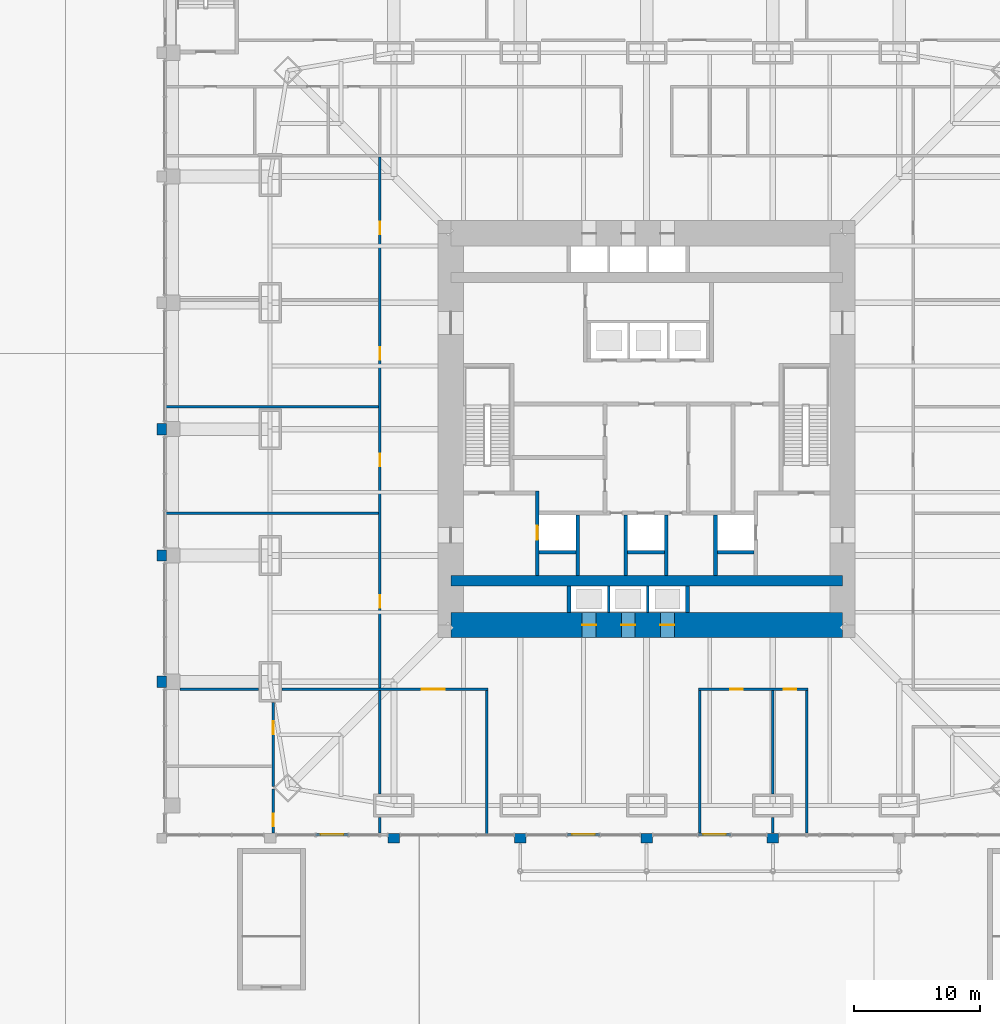
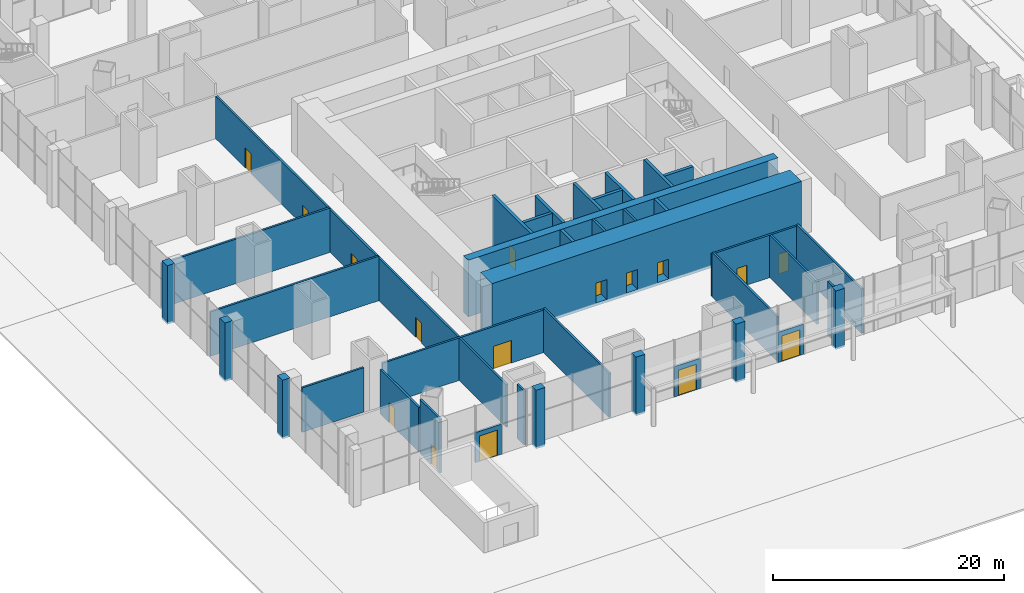
# One storey, part 22 of 31: 39 walls, 16 doors, 16 openings.
"""IFC4 building model written with IfcOpenShell, lengths in metres."""

from ifc_helpers import new_model, si_unit, direction, frame, frame_2d, origin, place, context, subcontext, project, spatial, rectangle, extrude, material, layer, layer_set, type_object, element, fill, save


model = new_model("IFC4")

# Units and contexts
model_context = context("Model", 3, precision=1e-05, world=origin(), true_north=direction((0.0, 1.0)))
body_context = subcontext(model_context, "Body", "Model", "MODEL_VIEW")
ifc_project = project(units=[si_unit("LENGTHUNIT", "METRE"), si_unit("AREAUNIT", "SQUARE_METRE"), si_unit("VOLUMEUNIT", "CUBIC_METRE"), si_unit("PLANEANGLEUNIT", "RADIAN"), si_unit("MASSUNIT", "GRAM", prefix="KILO")], contexts=[model_context])

# Site, building, storey
site_placement = place(None, origin())
site = spatial("IfcSite", under=ifc_project, at=site_placement, CompositionType="ELEMENT")
building_placement = place(site_placement, origin())
building = spatial("IfcBuilding", under=site, at=building_placement, Name="Khuree Lantern Residences", CompositionType="ELEMENT")
storey_placement = place(building_placement, origin())
storey = spatial("IfcBuildingStorey", under=building, at=storey_placement, Name="L00", CompositionType="ELEMENT", Elevation=0.0)

# Wall, opening, door
ifc_material_1 = material(Name="Dense concrete blockwork", Category="masonry")
ifc_layer_1 = layer(ifc_material_1, 0.300048828125)
ifc_layer_set_1 = layer_set([ifc_layer_1], Name="CORE PARTITION WALL CPW300 EI 120")
wall_type_1 = type_object("IfcWallType", Name="CORE PARTITION WALL CPW300 EI 120", PredefinedType="PARTITIONING", material=ifc_layer_set_1)
wall_1_placement = place(storey_placement, frame((-8.64990234375, -11.60009765625, 0.0), z_axis=(0.0, 0.0, 1.0), x_axis=(0.0, 1.0, 0.0)))
wall_1 = element("IfcWall", 1, at=wall_1_placement, inside=storey, type_object=wall_type_1, Name="L00 CORE WALL FL1W", PredefinedType="PARTITIONING", context=body_context, shape_type="SweptSolid", body=[
    extrude(rectangle(XDim=6.7001953125, YDim=0.300048828125, at=frame_2d((3.35009765625, 0.0))), origin(), (0.0, 0.0, 1.0), 5.699951171875),
])
opening_1_placement = place(wall_1_placement, frame((2.85009765625, 0.0, 0.0)))
opening_1 = element("IfcOpeningElement", 2, at=opening_1_placement, cuts=wall_1, Name="Opening 00-007", PredefinedType="OPENING", context=body_context, shape_type="SweptSolid", body=[
    extrude(rectangle(XDim=1.10009765625, YDim=2.10009765625, at=frame_2d((0.550048828125, 1.050048828125))), frame((0.0, 0.16015625, 0.0), z_axis=(0.0, -1.0, 0.0), x_axis=(1.0, 0.0, 0.0)), (0.0, 0.0, 1.0), 0.320068359375),
])
ifc_material_2 = material(Name="Stainless steel lift landing door", Category="steel")
door_type_1 = type_object("IfcDoorType", Name="LIFT LANDING DOOR 1100X2100 E 120", OperationType="DOUBLE_DOOR_SLIDING", PredefinedType="DOOR", material=ifc_material_2)
door_1_placement = place(opening_1_placement, origin())
door_1 = element("IfcDoor", 3, at=door_1_placement, inside=storey, type_object=door_type_1, Name="Landing door FL1 00-007", OperationType="DOUBLE_DOOR_SLIDING", OverallHeight=2.10009765625, OverallWidth=1.10009765625, PredefinedType="DOOR", context=body_context, shape_type="SweptSolid", body=[
    extrude(rectangle(XDim=1.10009765625, YDim=2.10009765625, at=frame_2d((0.550048828125, 1.050048828125))), frame((0.0, 0.02490234375, 0.0), z_axis=(0.0, -1.0, 0.0), x_axis=(1.0, 0.0, 0.0)), (0.0, 0.0, 1.0), 0.050048828125),
])
fill(opening_1, door_1)

# Walls
for number, where, z_axis, x_axis, name in (
    (4, (-5.449951171875, -11.60009765625, 0.0), (0.0, 0.0, 1.0), (0.0, 1.0, 0.0), "L00 CORE WALL FL1E"),
    (5, (-1.64990234375, -11.60009765625, 0.0), (0.0, 0.0, 1.0), (0.0, 1.0, 0.0), "L00 CORE WALL SL1W"),
    (6, (1.550048828125, -11.60009765625, 0.0), (0.0, 0.0, 1.0), (0.0, 1.0, 0.0), "L00 CORE WALL SL1E"),
    (7, (5.449951171875, -11.60009765625, 0.0), (0.0, 0.0, 1.0), (0.0, 1.0, 0.0), "L00 CORE WALL FL2W"),
):
    element("IfcWall", number, at=place(storey_placement, frame(where, z_axis=z_axis, x_axis=x_axis)), inside=storey, type_object=wall_type_1, Name=name, PredefinedType="PARTITIONING", context=body_context, shape_type="SweptSolid", body=[
        extrude(rectangle(XDim=4.800048828125, YDim=0.300048828125, at=frame_2d((2.39990234375, 0.0))), origin(), (0.0, 0.0, 1.0), 5.699951171875),
    ])
for number, where, z_axis, x_axis, name in (
    (8, (-8.5, -9.75, 0.0), (0.0, 0.0, 1.0), (1.0, 0.0, 0.0), "L00 CORE WALL FL1S"),
    (9, (-1.5, -9.75, 0.0), (0.0, 0.0, 1.0), (1.0, 0.0, 0.0), "L00 CORE WALL SL1S"),
    (10, (5.60009765625, -9.75, 0.0), (0.0, 0.0, 1.0), (1.0, 0.0, 0.0), "L00 CORE WALL FL2S"),
):
    element("IfcWall", number, at=place(storey_placement, frame(where, z_axis=z_axis, x_axis=x_axis)), inside=storey, type_object=wall_type_1, Name=name, PredefinedType="PARTITIONING", context=body_context, shape_type="SweptSolid", body=[
        extrude(rectangle(XDim=2.89990234375, YDim=0.300048828125, at=frame_2d((1.449951171875, 0.0))), origin(), (0.0, 0.0, 1.0), 5.699951171875),
    ])
for number, where, z_axis, x_axis, name in (
    (11, (-6.14990234375, -14.5, 0.0), (0.0, 0.0, 1.0), (0.0, 1.0, 0.0), "L00 CORE WALL PMW"),
    (12, (3.25, -14.5, 0.0), (0.0, 0.0, 1.0), (0.0, 1.0, 0.0), "L00 CORE WALL PME"),
):
    element("IfcWall", number, at=place(storey_placement, frame(where, z_axis=z_axis, x_axis=x_axis)), inside=storey, type_object=wall_type_1, Name=name, PredefinedType="PARTITIONING", context=body_context, shape_type="SweptSolid", body=[
        extrude(rectangle(XDim=2.10009765625, YDim=0.300048828125, at=frame_2d((1.050048828125, 0.0))), origin(), (0.0, 0.0, 1.0), 5.699951171875),
    ])

# Wall, openings, doors
ifc_material_3 = material(Name="Concrete C70/85", Category="concrete")
ifc_layer_2 = layer(ifc_material_3, 2.0)
ifc_layer_set_2 = layer_set([ifc_layer_2], Name="CW2000-C70 CORE WALL C70 2000")
wall_type_2 = type_object("IfcWallType", Name="CW2000-C70 CORE WALL C70 2000", PredefinedType="SHEAR", material=ifc_layer_set_2)
wall_2_placement = place(storey_placement, frame((-15.5, -15.5, -0.300048828125), z_axis=(0.0, 0.0, 1.0), x_axis=(1.0, 0.0, 0.0)))
wall_2 = element("IfcWall", 13, at=wall_2_placement, inside=storey, type_object=wall_type_2, Name="Core wall S", PredefinedType="SHEAR", context=body_context, shape_type="SweptSolid", body=[
    extrude(rectangle(XDim=31.0, YDim=2.0, at=frame_2d((15.5, 0.0))), origin(), (0.0, 0.0, 1.0), 6.0),
])
opening_2_placement = place(wall_2_placement, frame((10.39990234375, 0.0, 0.300048828125)))
opening_2 = element("IfcOpeningElement", 14, at=opening_2_placement, cuts=wall_2, Name="Opening 00-015", PredefinedType="OPENING", context=body_context, shape_type="SweptSolid", body=[
    extrude(rectangle(XDim=1.10009765625, YDim=2.10009765625, at=frame_2d((0.550048828125, 1.050048828125))), frame((0.0, 1.010009765625, 0.0), z_axis=(0.0, -1.0, 0.0), x_axis=(1.0, 0.0, 0.0)), (0.0, 0.0, 1.0), 2.02001953125),
])
opening_3_placement = place(wall_2_placement, frame((13.5, 0.0, 0.300048828125)))
opening_3 = element("IfcOpeningElement", 15, at=opening_3_placement, cuts=wall_2, Name="Opening 00-016", PredefinedType="OPENING", context=body_context, shape_type="SweptSolid", body=[
    extrude(rectangle(XDim=1.10009765625, YDim=2.10009765625, at=frame_2d((0.550048828125, 1.050048828125))), frame((0.0, 1.010009765625, 0.0), z_axis=(0.0, -1.0, 0.0), x_axis=(1.0, 0.0, 0.0)), (0.0, 0.0, 1.0), 2.02001953125),
])
opening_4_placement = place(wall_2_placement, frame((16.60009765625, 0.0, 0.300048828125)))
opening_4 = element("IfcOpeningElement", 16, at=opening_4_placement, cuts=wall_2, Name="Opening 00-017", PredefinedType="OPENING", context=body_context, shape_type="SweptSolid", body=[
    extrude(rectangle(XDim=1.10009765625, YDim=2.10009765625, at=frame_2d((0.550048828125, 1.050048828125))), frame((0.0, 1.010009765625, 0.0), z_axis=(0.0, -1.0, 0.0), x_axis=(1.0, 0.0, 0.0)), (0.0, 0.0, 1.0), 2.02001953125),
])
door_type_2 = type_object("IfcDoorType", Name="LIFT LANDING DOOR 1100X2100 E 60", OperationType="DOUBLE_DOOR_SLIDING", PredefinedType="DOOR", material=ifc_material_2)
door_2_placement = place(opening_2_placement, origin())
door_2 = element("IfcDoor", 17, at=door_2_placement, inside=storey, type_object=door_type_2, Name="Landing door PM1 00-015", OperationType="DOUBLE_DOOR_SLIDING", OverallHeight=2.10009765625, OverallWidth=1.10009765625, PredefinedType="DOOR", context=body_context, shape_type="SweptSolid", body=[
    extrude(rectangle(XDim=1.10009765625, YDim=2.10009765625, at=frame_2d((0.550048828125, 1.050048828125))), frame((0.0, 0.02490234375, 0.0), z_axis=(0.0, -1.0, 0.0), x_axis=(1.0, 0.0, 0.0)), (0.0, 0.0, 1.0), 0.050048828125),
])
fill(opening_2, door_2)
door_3_placement = place(opening_3_placement, origin())
door_3 = element("IfcDoor", 18, at=door_3_placement, inside=storey, type_object=door_type_2, Name="Landing door PM2 00-016", OperationType="DOUBLE_DOOR_SLIDING", OverallHeight=2.10009765625, OverallWidth=1.10009765625, PredefinedType="DOOR", context=body_context, shape_type="SweptSolid", body=[
    extrude(rectangle(XDim=1.10009765625, YDim=2.10009765625, at=frame_2d((0.550048828125, 1.050048828125))), frame((0.0, 0.02490234375, 0.0), z_axis=(0.0, -1.0, 0.0), x_axis=(1.0, 0.0, 0.0)), (0.0, 0.0, 1.0), 0.050048828125),
])
fill(opening_3, door_3)
door_4_placement = place(opening_4_placement, origin())
door_4 = element("IfcDoor", 19, at=door_4_placement, inside=storey, type_object=door_type_2, Name="Landing door PM3 00-017", OperationType="DOUBLE_DOOR_SLIDING", OverallHeight=2.10009765625, OverallWidth=1.10009765625, PredefinedType="DOOR", context=body_context, shape_type="SweptSolid", body=[
    extrude(rectangle(XDim=1.10009765625, YDim=2.10009765625, at=frame_2d((0.550048828125, 1.050048828125))), frame((0.0, 0.02490234375, 0.0), z_axis=(0.0, -1.0, 0.0), x_axis=(1.0, 0.0, 0.0)), (0.0, 0.0, 1.0), 0.050048828125),
])
fill(opening_4, door_4)

# Wall, opening, door
ifc_material_4 = material(Name="Bronze anodised aluminium insulated panel surround", Category="aluminium")
ifc_layer_3 = layer(ifc_material_4, 0.199951171875)
ifc_layer_set_3 = layer_set([ifc_layer_3], Name="ENTRANCE SCREEN ES1 200")
wall_type_3 = type_object("IfcWallType", Name="ENTRANCE SCREEN ES1 200", PredefinedType="ELEMENTEDWALL", material=ifc_layer_set_3)
wall_3_placement = place(storey_placement, frame((-26.199951171875, -32.10009765625, 0.0), z_axis=(0.0, 0.0, 1.0), x_axis=(1.0, 0.0, 0.0)))
wall_3 = element("IfcWall", 20, at=wall_3_placement, inside=storey, type_object=wall_type_3, Name="L00 SOUTH FACE BAY 2 ENTRANCE SCREEN", PredefinedType="ELEMENTEDWALL", context=body_context, shape_type="SweptSolid", body=[
    extrude(rectangle(XDim=2.599853515625, YDim=0.199951171875, at=frame_2d((1.2998046875, 0.0))), origin(), (0.0, 0.0, 1.0), 3.199951171875),
])
opening_5_placement = place(wall_3_placement, frame((2.199951171875, 0.0, 0.0), z_axis=(0.0, 0.0, 1.0), x_axis=(-1.0, 0.0, 0.0)))
opening_5 = element("IfcOpeningElement", 21, at=opening_5_placement, cuts=wall_3, Name="Opening 00-E01", PredefinedType="OPENING", context=body_context, shape_type="SweptSolid", body=[
    extrude(rectangle(XDim=1.800048828125, YDim=2.699951171875, at=frame_2d((0.89990234375, 1.35009765625))), frame((0.0, 0.10986328125, 0.0), z_axis=(0.0, -1.0, 0.0), x_axis=(1.0, 0.0, 0.0)), (0.0, 0.0, 1.0), 0.219970703125),
])
ifc_material_5 = material(Name="Thermally broken bronze anodised aluminium door set, laminated triple glazing", Category="aluminium")
door_type_3 = type_object("IfcDoorType", Name="ENTRANCE DOOR D-E1 1800X2700", OperationType="DOUBLE_DOOR_SINGLE_SWING", PredefinedType="DOOR", material=ifc_material_5)
door_5_placement = place(opening_5_placement, origin())
door_5 = element("IfcDoor", 22, at=door_5_placement, inside=storey, type_object=door_type_3, Name="L00 SOUTH FACE BAY 2 PLAZA ENTRANCE DOOR 00-E01", OperationType="SINGLE_SWING_LEFT", OverallHeight=2.699951171875, OverallWidth=1.800048828125, PredefinedType="DOOR", context=body_context, shape_type="SweptSolid", body=[
    extrude(rectangle(XDim=1.800048828125, YDim=2.699951171875, at=frame_2d((0.89990234375, 1.35009765625))), frame((0.0, 0.02490234375, 0.0), z_axis=(0.0, -1.0, 0.0), x_axis=(1.0, 0.0, 0.0)), (0.0, 0.0, 1.0), 0.050048828125),
])
fill(opening_5, door_5)

wall_4_placement = place(storey_placement, frame((-6.300048828125, -32.10009765625, 0.0), z_axis=(0.0, 0.0, 1.0), x_axis=(1.0, 0.0, 0.0)))
wall_4 = element("IfcWall", 23, at=wall_4_placement, inside=storey, type_object=wall_type_3, Name="L00 SOUTH FACE BAY 4 ENTRANCE SCREEN", PredefinedType="ELEMENTEDWALL", context=body_context, shape_type="SweptSolid", body=[
    extrude(rectangle(XDim=2.60009765625, YDim=0.199951171875, at=frame_2d((1.300048828125, 0.0))), origin(), (0.0, 0.0, 1.0), 3.199951171875),
])
opening_6_placement = place(wall_4_placement, frame((2.199951171875, 0.0, 0.0), z_axis=(0.0, 0.0, 1.0), x_axis=(-1.0, 0.0, 0.0)))
opening_6 = element("IfcOpeningElement", 24, at=opening_6_placement, cuts=wall_4, Name="Opening 00-E02", PredefinedType="OPENING", context=body_context, shape_type="SweptSolid", body=[
    extrude(rectangle(XDim=1.800048828125, YDim=2.699951171875, at=frame_2d((0.89990234375, 1.35009765625))), frame((0.0, 0.10986328125, 0.0), z_axis=(0.0, -1.0, 0.0), x_axis=(1.0, 0.0, 0.0)), (0.0, 0.0, 1.0), 0.219970703125),
])
door_6_placement = place(opening_6_placement, origin())
door_6 = element("IfcDoor", 25, at=door_6_placement, inside=storey, type_object=door_type_3, Name="L00 SOUTH FACE BAY 4 MAIN ENTRANCE DOOR 00-E02", OperationType="SINGLE_SWING_LEFT", OverallHeight=2.699951171875, OverallWidth=1.800048828125, PredefinedType="DOOR", context=body_context, shape_type="SweptSolid", body=[
    extrude(rectangle(XDim=1.800048828125, YDim=2.699951171875, at=frame_2d((0.89990234375, 1.35009765625))), frame((0.0, 0.02490234375, 0.0), z_axis=(0.0, -1.0, 0.0), x_axis=(1.0, 0.0, 0.0)), (0.0, 0.0, 1.0), 0.050048828125),
])
fill(opening_6, door_6)

wall_5_placement = place(storey_placement, frame((4.072021484375, -32.10009765625, 0.0), z_axis=(0.0, 0.0, 1.0), x_axis=(1.0, 0.0, 0.0)))
wall_5 = element("IfcWall", 26, at=wall_5_placement, inside=storey, type_object=wall_type_3, Name="L00 SOUTH FACE BAY 5 ENTRANCE SCREEN", PredefinedType="ELEMENTEDWALL", context=body_context, shape_type="SweptSolid", body=[
    extrude(rectangle(XDim=2.60009765625, YDim=0.199951171875, at=frame_2d((1.300048828125, 0.0))), origin(), (0.0, 0.0, 1.0), 3.199951171875),
])
opening_7_placement = place(wall_5_placement, frame((2.199951171875, 0.0, 0.0), z_axis=(0.0, 0.0, 1.0), x_axis=(-1.0, 0.0, 0.0)))
opening_7 = element("IfcOpeningElement", 27, at=opening_7_placement, cuts=wall_5, Name="Opening 00-E03", PredefinedType="OPENING", context=body_context, shape_type="SweptSolid", body=[
    extrude(rectangle(XDim=1.800048828125, YDim=2.699951171875, at=frame_2d((0.89990234375, 1.35009765625))), frame((0.0, 0.10986328125, 0.0), z_axis=(0.0, -1.0, 0.0), x_axis=(1.0, 0.0, 0.0)), (0.0, 0.0, 1.0), 0.219970703125),
])
door_7_placement = place(opening_7_placement, origin())
door_7 = element("IfcDoor", 28, at=door_7_placement, inside=storey, type_object=door_type_3, Name="L00 SOUTH FACE BAY 5 MAIN ENTRANCE DOOR 00-E03", OperationType="SINGLE_SWING_LEFT", OverallHeight=2.699951171875, OverallWidth=1.800048828125, PredefinedType="DOOR", context=body_context, shape_type="SweptSolid", body=[
    extrude(rectangle(XDim=1.800048828125, YDim=2.699951171875, at=frame_2d((0.89990234375, 1.35009765625))), frame((0.0, 0.02490234375, 0.0), z_axis=(0.0, -1.0, 0.0), x_axis=(1.0, 0.0, 0.0)), (0.0, 0.0, 1.0), 0.050048828125),
])
fill(opening_7, door_7)

ifc_layer_4 = layer(ifc_material_1, 0.199951171875)
ifc_layer_set_4 = layer_set([ifc_layer_4], Name="FIRE-RATED ROOM WALL FRW200 EI 120")
wall_type_4 = type_object("IfcWallType", Name="FIRE-RATED ROOM WALL FRW200 EI 120", PredefinedType="SOLIDWALL", material=ifc_layer_set_4)
wall_6_placement = place(storey_placement, frame((-29.555908203125, -31.97998046875, 0.0), z_axis=(0.0, 0.0, 1.0), x_axis=(0.0, 1.0, 0.0)))
wall_6 = element("IfcWall", 29, at=wall_6_placement, inside=storey, type_object=wall_type_4, Name="L00 ROOM WALL 2", PredefinedType="SOLIDWALL", context=body_context, shape_type="SweptSolid", body=[
    extrude(rectangle(XDim=3.474853515625, YDim=0.199951171875, at=frame_2d((1.7373046875, 0.0))), origin(), (0.0, 0.0, 1.0), 5.699951171875),
])
opening_8_placement = place(wall_6_placement, frame((0.530029296875, 0.0, 0.0)))
opening_8 = element("IfcOpeningElement", 30, at=opening_8_placement, cuts=wall_6, Name="Opening 00-031", PredefinedType="OPENING", context=body_context, shape_type="SweptSolid", body=[
    extrude(rectangle(XDim=1.0, YDim=2.10009765625, at=frame_2d((0.5, 1.050048828125))), frame((0.0, 0.10986328125, 0.0), z_axis=(0.0, -1.0, 0.0), x_axis=(1.0, 0.0, 0.0)), (0.0, 0.0, 1.0), 0.219970703125),
])
ifc_material_6 = material(Name="Steel door leaf in steel frame", Category="steel")
door_type_4 = type_object("IfcDoorType", Name="DOOR 1000X2100 EI 60", OperationType="SINGLE_SWING_LEFT", PredefinedType="DOOR", material=ifc_material_6)
door_8_placement = place(opening_8_placement, origin())
door_8 = element("IfcDoor", 31, at=door_8_placement, inside=storey, type_object=door_type_4, Name="Fire command centre door 00-031", OperationType="SINGLE_SWING_LEFT", OverallHeight=2.10009765625, OverallWidth=1.0, PredefinedType="DOOR", context=body_context, shape_type="SweptSolid", body=[
    extrude(rectangle(XDim=1.0, YDim=2.10009765625, at=frame_2d((0.5, 1.050048828125))), frame((0.0, 0.02490234375, 0.0), z_axis=(0.0, -1.0, 0.0), x_axis=(1.0, 0.0, 0.0)), (0.0, 0.0, 1.0), 0.050048828125),
])
fill(opening_8, door_8)

wall_7_placement = place(storey_placement, frame((-29.555908203125, -28.282958984375, 0.0), z_axis=(0.0, 0.0, 1.0), x_axis=(0.0, 1.0, 0.0)))
wall_7 = element("IfcWall", 32, at=wall_7_placement, inside=storey, type_object=wall_type_4, Name="L00 ROOM WALL 12", PredefinedType="SOLIDWALL", context=body_context, shape_type="SweptSolid", body=[
    extrude(rectangle(XDim=6.65283203125, YDim=0.199951171875, at=frame_2d((3.326416015625, 0.0))), origin(), (0.0, 0.0, 1.0), 4.699951171875),
])
opening_9_placement = place(wall_7_placement, frame((4.142578125, 0.0, 0.0)))
opening_9 = element("IfcOpeningElement", 33, at=opening_9_placement, cuts=wall_7, Name="Opening 00-032", PredefinedType="OPENING", context=body_context, shape_type="SweptSolid", body=[
    extrude(rectangle(XDim=1.0, YDim=2.10009765625, at=frame_2d((0.5, 1.050048828125))), frame((0.0, 0.10986328125, 0.0), z_axis=(0.0, -1.0, 0.0), x_axis=(1.0, 0.0, 0.0)), (0.0, 0.0, 1.0), 0.219970703125),
])
ifc_material_7 = material(Name="Timber door leaf in hardwood frame", Category="wood")
door_type_5 = type_object("IfcDoorType", Name="DOOR 1000X2100 RIGHT HAND", OperationType="SINGLE_SWING_RIGHT", PredefinedType="DOOR", material=ifc_material_7)
door_9_placement = place(opening_9_placement, origin())
door_9 = element("IfcDoor", 34, at=door_9_placement, inside=storey, type_object=door_type_5, Name="Concierge office door 00-032", OperationType="SINGLE_SWING_RIGHT", OverallHeight=2.10009765625, OverallWidth=1.0, PredefinedType="DOOR", context=body_context, shape_type="SweptSolid", body=[
    extrude(rectangle(XDim=1.0, YDim=2.10009765625, at=frame_2d((0.5, 1.050048828125))), frame((0.0, 0.02490234375, 0.0), z_axis=(0.0, -1.0, 0.0), x_axis=(1.0, 0.0, 0.0)), (0.0, 0.0, 1.0), 0.050048828125),
])
fill(opening_9, door_9)

# Walls
ifc_material_8 = material(Name="Flamed granite cladding on blockwork", Category="masonry")
ifc_layer_5 = layer(ifc_material_8, 0.75)
ifc_layer_set_5 = layer_set([ifc_layer_5], Name="PODIUM PIER PR1 900X750")
wall_type_5 = type_object("IfcWallType", Name="PODIUM PIER PR1 900X750", PredefinedType="SOLIDWALL", material=ifc_layer_set_5)
for number, where, z_axis, x_axis, name in (
    (35, (-20.449951171875, -32.375, -0.199951171875), (0.0, 0.0, 1.0), (1.0, 0.0, 0.0), "L00 SOUTH FACE PIER 2"),
    (36, (-10.449951171875, -32.375, -0.199951171875), (0.0, 0.0, 1.0), (1.0, 0.0, 0.0), "L00 SOUTH FACE PIER 3"),
    (37, (-0.449951171875, -32.375, -0.199951171875), (0.0, 0.0, 1.0), (1.0, 0.0, 0.0), "L00 SOUTH FACE PIER 4"),
    (38, (9.550048828125, -32.375, -0.199951171875), (0.0, 0.0, 1.0), (1.0, 0.0, 0.0), "L00 SOUTH FACE PIER 5"),
    (39, (-38.375, 0.449951171875, -0.199951171875), (0.0, 0.0, 1.0), (0.0, -1.0, 0.0), "L00 WEST FACE PIER 5"),
    (40, (-38.375, -9.550048828125, -0.199951171875), (0.0, 0.0, 1.0), (0.0, -1.0, 0.0), "L00 WEST FACE PIER 6"),
    (41, (-38.375, -19.550048828125, -0.199951171875), (0.0, 0.0, 1.0), (0.0, -1.0, 0.0), "L00 WEST FACE PIER 7"),
):
    element("IfcWall", number, at=place(storey_placement, frame(where, z_axis=z_axis, x_axis=x_axis)), inside=storey, type_object=wall_type_5, Name=name, PredefinedType="SOLIDWALL", context=body_context, shape_type="SweptSolid", body=[
        extrude(rectangle(XDim=0.89990234375, YDim=0.75, at=frame_2d((0.449951171875, 0.0))), origin(), (0.0, 0.0, 1.0), 6.199951171875),
    ])
ifc_layer_6 = layer(ifc_material_1, 0.199951171875)
ifc_layer_set_6 = layer_set([ifc_layer_6], Name="ROOM WALL RMW200")
wall_type_6 = type_object("IfcWallType", Name="ROOM WALL RMW200", PredefinedType="SOLIDWALL", material=ifc_layer_set_6)
wall_8_placement = place(storey_placement, frame((-12.6669921875, -32.074951171875, 0.0), z_axis=(0.0, 0.0, 1.0), x_axis=(0.0, 1.0, 0.0)))
element("IfcWall", 42, at=wall_8_placement, inside=storey, type_object=wall_type_6, Name="L00 ROOM WALL 1", PredefinedType="SOLIDWALL", context=body_context, shape_type="SweptSolid", body=[
    extrude(rectangle(XDim=11.384033203125, YDim=0.199951171875, at=frame_2d((5.69189453125, 0.0))), origin(), (0.0, 0.0, 1.0), 4.699951171875),
])
wall_9_placement = place(storey_placement, frame((-21.111083984375, -31.97998046875, 0.0), z_axis=(0.0, 0.0, 1.0), x_axis=(0.0, 1.0, 0.0)))
element("IfcWall", 43, at=wall_9_placement, inside=storey, type_object=wall_type_6, Name="L00 ROOM WALL 3", PredefinedType="SOLIDWALL", context=body_context, shape_type="SweptSolid", body=[
    extrude(rectangle(XDim=1.25, YDim=0.199951171875, at=frame_2d((0.625, 0.0))), origin(), (0.0, 0.0, 1.0), 5.699951171875),
])
wall_10_placement = place(storey_placement, frame((4.221923828125, -31.97998046875, 0.0), z_axis=(0.0, 0.0, 1.0), x_axis=(0.0, 1.0, 0.0)))
element("IfcWall", 44, at=wall_10_placement, inside=storey, type_object=wall_type_6, Name="L00 ROOM WALL 4", PredefinedType="SOLIDWALL", context=body_context, shape_type="SweptSolid", body=[
    extrude(rectangle(XDim=11.2890625, YDim=0.199951171875, at=frame_2d((5.64453125, 0.0))), origin(), (0.0, 0.0, 1.0), 4.699951171875),
])
wall_11_placement = place(storey_placement, frame((10.0, -31.97998046875, 0.0), z_axis=(0.0, 0.0, 1.0), x_axis=(0.0, 1.0, 0.0)))
element("IfcWall", 45, at=wall_11_placement, inside=storey, type_object=wall_type_6, Name="L00 ROOM WALL 5", PredefinedType="SOLIDWALL", context=body_context, shape_type="SweptSolid", body=[
    extrude(rectangle(XDim=1.25, YDim=0.199951171875, at=frame_2d((0.625, 0.0))), origin(), (0.0, 0.0, 1.0), 5.699951171875),
])
wall_12_placement = place(storey_placement, frame((12.6669921875, -31.97998046875, 0.0), z_axis=(0.0, 0.0, 1.0), x_axis=(0.0, 1.0, 0.0)))
element("IfcWall", 46, at=wall_12_placement, inside=storey, type_object=wall_type_6, Name="L00 ROOM WALL 6", PredefinedType="SOLIDWALL", context=body_context, shape_type="SweptSolid", body=[
    extrude(rectangle(XDim=11.2890625, YDim=0.199951171875, at=frame_2d((5.64453125, 0.0))), origin(), (0.0, 0.0, 1.0), 4.699951171875),
])
for number, where, z_axis, x_axis, name in (
    (47, (-21.111083984375, -28.869873046875, 0.0), (0.0, 0.0, 1.0), (0.0, 1.0, 0.0), "L00 ROOM WALL 9"),
    (48, (10.0, -28.869873046875, 0.0), (0.0, 0.0, 1.0), (0.0, 1.0, 0.0), "L00 ROOM WALL 10"),
):
    element("IfcWall", number, at=place(storey_placement, frame(where, z_axis=z_axis, x_axis=x_axis)), inside=storey, type_object=wall_type_6, Name=name, PredefinedType="SOLIDWALL", context=body_context, shape_type="SweptSolid", body=[
        extrude(rectangle(XDim=8.178955078125, YDim=0.199951171875, at=frame_2d((4.08935546875, 0.0))), origin(), (0.0, 0.0, 1.0), 4.5),
    ])
wall_13_placement = place(storey_placement, frame((-36.919921875, -20.591064453125, 0.0), z_axis=(0.0, 0.0, 1.0), x_axis=(1.0, 0.0, 0.0)))
element("IfcWall", 49, at=wall_13_placement, inside=storey, type_object=wall_type_6, Name="L00 ROOM WALL 15", PredefinedType="SOLIDWALL", context=body_context, shape_type="SweptSolid", body=[
    extrude(rectangle(XDim=6.18994140625, YDim=0.199951171875, at=frame_2d((3.094970703125, 0.0))), origin(), (0.0, 0.0, 1.0), 4.699951171875),
])

# Wall, opening, door
wall_14_placement = place(storey_placement, frame((-28.869873046875, -20.591064453125, 0.0), z_axis=(0.0, 0.0, 1.0), x_axis=(1.0, 0.0, 0.0)))
wall_14 = element("IfcWall", 50, at=wall_14_placement, inside=storey, type_object=wall_type_6, Name="L00 ROOM WALL 16", PredefinedType="SOLIDWALL", context=body_context, shape_type="SweptSolid", body=[
    extrude(rectangle(XDim=16.302978515625, YDim=0.199951171875, at=frame_2d((8.1513671875, 0.0))), origin(), (0.0, 0.0, 1.0), 4.5),
])
opening_10_placement = place(wall_14_placement, frame((11.0908203125, 0.0, 0.0)))
opening_10 = element("IfcOpeningElement", 51, at=opening_10_placement, cuts=wall_14, Name="Opening 00-033", PredefinedType="OPENING", context=body_context, shape_type="SweptSolid", body=[
    extrude(rectangle(XDim=1.800048828125, YDim=2.39990234375, at=frame_2d((0.89990234375, 1.199951171875))), frame((0.0, 0.10986328125, 0.0), z_axis=(0.0, -1.0, 0.0), x_axis=(1.0, 0.0, 0.0)), (0.0, 0.0, 1.0), 0.219970703125),
])
door_type_6 = type_object("IfcDoorType", Name="DOUBLE DOOR 1800X2400", OperationType="DOUBLE_DOOR_SINGLE_SWING", PredefinedType="DOOR", material=ifc_material_7)
door_10_placement = place(opening_10_placement, origin())
door_10 = element("IfcDoor", 52, at=door_10_placement, inside=storey, type_object=door_type_6, Name="Retail cafe door 00-033", OperationType="DOUBLE_DOOR_SINGLE_SWING", OverallHeight=2.39990234375, OverallWidth=1.800048828125, PredefinedType="DOOR", context=body_context, shape_type="SweptSolid", body=[
    extrude(rectangle(XDim=1.800048828125, YDim=2.39990234375, at=frame_2d((0.89990234375, 1.199951171875))), frame((0.0, 0.02490234375, 0.0), z_axis=(0.0, -1.0, 0.0), x_axis=(1.0, 0.0, 0.0)), (0.0, 0.0, 1.0), 0.050048828125),
])
fill(opening_10, door_10)

# Wall, openings, doors
wall_15_placement = place(storey_placement, frame((4.1220703125, -20.591064453125, 0.0), z_axis=(0.0, 0.0, 1.0), x_axis=(1.0, 0.0, 0.0)))
wall_15 = element("IfcWall", 53, at=wall_15_placement, inside=storey, type_object=wall_type_6, Name="L00 ROOM WALL 17", PredefinedType="SOLIDWALL", context=body_context, shape_type="SweptSolid", body=[
    extrude(rectangle(XDim=8.64501953125, YDim=0.199951171875, at=frame_2d((4.322509765625, 0.0))), origin(), (0.0, 0.0, 1.0), 4.5),
])
opening_11_placement = place(wall_15_placement, frame((2.4990234375, 0.0, 0.0)))
opening_11 = element("IfcOpeningElement", 54, at=opening_11_placement, cuts=wall_15, Name="Opening 00-034", PredefinedType="OPENING", context=body_context, shape_type="SweptSolid", body=[
    extrude(rectangle(XDim=1.0, YDim=2.10009765625, at=frame_2d((0.5, 1.050048828125))), frame((0.0, 0.10986328125, 0.0), z_axis=(0.0, -1.0, 0.0), x_axis=(1.0, 0.0, 0.0)), (0.0, 0.0, 1.0), 0.219970703125),
])
opening_12_placement = place(wall_15_placement, frame((6.721435546875, 0.0, 0.0)))
opening_12 = element("IfcOpeningElement", 55, at=opening_12_placement, cuts=wall_15, Name="Opening 00-057", PredefinedType="OPENING", context=body_context, shape_type="SweptSolid", body=[
    extrude(rectangle(XDim=1.0, YDim=2.10009765625, at=frame_2d((0.5, 1.050048828125))), frame((0.0, 0.10986328125, 0.0), z_axis=(0.0, -1.0, 0.0), x_axis=(1.0, 0.0, 0.0)), (0.0, 0.0, 1.0), 0.219970703125),
])
door_type_7 = type_object("IfcDoorType", Name="DOOR 1000X2100", OperationType="SINGLE_SWING_LEFT", PredefinedType="DOOR", material=ifc_material_7)
door_11_placement = place(opening_11_placement, origin())
door_11 = element("IfcDoor", 56, at=door_11_placement, inside=storey, type_object=door_type_7, Name="Management office door 00-034", OperationType="SINGLE_SWING_LEFT", OverallHeight=2.10009765625, OverallWidth=1.0, PredefinedType="DOOR", context=body_context, shape_type="SweptSolid", body=[
    extrude(rectangle(XDim=1.0, YDim=2.10009765625, at=frame_2d((0.5, 1.050048828125))), frame((0.0, 0.02490234375, 0.0), z_axis=(0.0, -1.0, 0.0), x_axis=(1.0, 0.0, 0.0)), (0.0, 0.0, 1.0), 0.050048828125),
])
fill(opening_11, door_11)
door_12_placement = place(opening_12_placement, origin())
door_12 = element("IfcDoor", 57, at=door_12_placement, inside=storey, type_object=door_type_7, Name="Management store door 00-057", OperationType="SINGLE_SWING_LEFT", OverallHeight=2.10009765625, OverallWidth=1.0, PredefinedType="DOOR", context=body_context, shape_type="SweptSolid", body=[
    extrude(rectangle(XDim=1.0, YDim=2.10009765625, at=frame_2d((0.5, 1.050048828125))), frame((0.0, 0.02490234375, 0.0), z_axis=(0.0, -1.0, 0.0), x_axis=(1.0, 0.0, 0.0)), (0.0, 0.0, 1.0), 0.050048828125),
])
fill(opening_12, door_12)

wall_16_placement = place(storey_placement, frame((-21.111083984375, -20.490966796875, 0.0), z_axis=(0.0, 0.0, 1.0), x_axis=(0.0, 1.0, 0.0)))
wall_16 = element("IfcWall", 58, at=wall_16_placement, inside=storey, type_object=wall_type_6, Name="L00 ROOM WALL 20", PredefinedType="SOLIDWALL", context=body_context, shape_type="SweptSolid", body=[
    extrude(rectangle(XDim=42.02197265625, YDim=0.199951171875, at=frame_2d((21.010986328125, 0.0))), origin(), (0.0, 0.0, 1.0), 4.5),
])
opening_13_placement = place(wall_16_placement, frame((6.35205078125, 0.0, 0.0)))
opening_13 = element("IfcOpeningElement", 59, at=opening_13_placement, cuts=wall_16, Name="Opening 00-036", PredefinedType="OPENING", context=body_context, shape_type="SweptSolid", body=[
    extrude(rectangle(XDim=1.0, YDim=2.10009765625, at=frame_2d((0.5, 1.050048828125))), frame((0.0, 0.10986328125, 0.0), z_axis=(0.0, -1.0, 0.0), x_axis=(1.0, 0.0, 0.0)), (0.0, 0.0, 1.0), 0.219970703125),
])
opening_14_placement = place(wall_16_placement, frame((17.53662109375, 0.0, 0.0)))
opening_14 = element("IfcOpeningElement", 60, at=opening_14_placement, cuts=wall_16, Name="Opening 00-037", PredefinedType="OPENING", context=body_context, shape_type="SweptSolid", body=[
    extrude(rectangle(XDim=1.0, YDim=2.10009765625, at=frame_2d((0.5, 1.050048828125))), frame((0.0, 0.10986328125, 0.0), z_axis=(0.0, -1.0, 0.0), x_axis=(1.0, 0.0, 0.0)), (0.0, 0.0, 1.0), 0.219970703125),
])
opening_15_placement = place(wall_16_placement, frame((25.98095703125, 0.0, 0.0)))
opening_15 = element("IfcOpeningElement", 61, at=opening_15_placement, cuts=wall_16, Name="Opening 00-038", PredefinedType="OPENING", context=body_context, shape_type="SweptSolid", body=[
    extrude(rectangle(XDim=1.0, YDim=2.10009765625, at=frame_2d((0.5, 1.050048828125))), frame((0.0, 0.10986328125, 0.0), z_axis=(0.0, -1.0, 0.0), x_axis=(1.0, 0.0, 0.0)), (0.0, 0.0, 1.0), 0.219970703125),
])
opening_16_placement = place(wall_16_placement, frame((35.907470703125, 0.0, 0.0)))
opening_16 = element("IfcOpeningElement", 62, at=opening_16_placement, cuts=wall_16, Name="Opening 00-039", PredefinedType="OPENING", context=body_context, shape_type="SweptSolid", body=[
    extrude(rectangle(XDim=1.0, YDim=2.10009765625, at=frame_2d((0.5, 1.050048828125))), frame((0.0, 0.10986328125, 0.0), z_axis=(0.0, -1.0, 0.0), x_axis=(1.0, 0.0, 0.0)), (0.0, 0.0, 1.0), 0.219970703125),
])
door_13_placement = place(opening_13_placement, origin())
door_13 = element("IfcDoor", 63, at=door_13_placement, inside=storey, type_object=door_type_7, Name="Mail room door 00-036", OperationType="SINGLE_SWING_LEFT", OverallHeight=2.10009765625, OverallWidth=1.0, PredefinedType="DOOR", context=body_context, shape_type="SweptSolid", body=[
    extrude(rectangle(XDim=1.0, YDim=2.10009765625, at=frame_2d((0.5, 1.050048828125))), frame((0.0, 0.02490234375, 0.0), z_axis=(0.0, -1.0, 0.0), x_axis=(1.0, 0.0, 0.0)), (0.0, 0.0, 1.0), 0.050048828125),
])
fill(opening_13, door_13)
door_14_placement = place(opening_14_placement, origin())
door_14 = element("IfcDoor", 64, at=door_14_placement, inside=storey, type_object=door_type_7, Name="Parcel room door 00-037", OperationType="SINGLE_SWING_LEFT", OverallHeight=2.10009765625, OverallWidth=1.0, PredefinedType="DOOR", context=body_context, shape_type="SweptSolid", body=[
    extrude(rectangle(XDim=1.0, YDim=2.10009765625, at=frame_2d((0.5, 1.050048828125))), frame((0.0, 0.02490234375, 0.0), z_axis=(0.0, -1.0, 0.0), x_axis=(1.0, 0.0, 0.0)), (0.0, 0.0, 1.0), 0.050048828125),
])
fill(opening_14, door_14)
door_15_placement = place(opening_15_placement, origin())
door_15 = element("IfcDoor", 65, at=door_15_placement, inside=storey, type_object=door_type_7, Name="Staff room door 00-038", OperationType="SINGLE_SWING_LEFT", OverallHeight=2.10009765625, OverallWidth=1.0, PredefinedType="DOOR", context=body_context, shape_type="SweptSolid", body=[
    extrude(rectangle(XDim=1.0, YDim=2.10009765625, at=frame_2d((0.5, 1.050048828125))), frame((0.0, 0.02490234375, 0.0), z_axis=(0.0, -1.0, 0.0), x_axis=(1.0, 0.0, 0.0)), (0.0, 0.0, 1.0), 0.050048828125),
])
fill(opening_15, door_15)
door_16_placement = place(opening_16_placement, origin())
door_16 = element("IfcDoor", 66, at=door_16_placement, inside=storey, type_object=door_type_7, Name="Staff locker room door 00-039", OperationType="SINGLE_SWING_LEFT", OverallHeight=2.10009765625, OverallWidth=1.0, PredefinedType="DOOR", context=body_context, shape_type="SweptSolid", body=[
    extrude(rectangle(XDim=1.0, YDim=2.10009765625, at=frame_2d((0.5, 1.050048828125))), frame((0.0, 0.02490234375, 0.0), z_axis=(0.0, -1.0, 0.0), x_axis=(1.0, 0.0, 0.0)), (0.0, 0.0, 1.0), 0.050048828125),
])
fill(opening_16, door_16)

# Walls
for number, where, z_axis, x_axis, name in (
    (67, (-38.074951171875, -6.6669921875, 0.0), (0.0, 0.0, 1.0), (1.0, 0.0, 0.0), "L00 ROOM WALL 22"),
    (68, (-38.074951171875, 1.778076171875, 0.0), (0.0, 0.0, 1.0), (1.0, 0.0, 0.0), "L00 ROOM WALL 24"),
):
    element("IfcWall", number, at=place(storey_placement, frame(where, z_axis=z_axis, x_axis=x_axis)), inside=storey, type_object=wall_type_6, Name=name, PredefinedType="SOLIDWALL", context=body_context, shape_type="SweptSolid", body=[
        extrude(rectangle(XDim=16.864013671875, YDim=0.199951171875, at=frame_2d((8.43212890625, 0.0))), origin(), (0.0, 0.0, 1.0), 4.699951171875),
    ])
ifc_layer_7 = layer(ifc_material_1, 0.199951171875)
ifc_layer_set_7 = layer_set([ifc_layer_7], Name="SHAFT WALL SHW200 EI 120")
wall_type_7 = type_object("IfcWallType", Name="SHAFT WALL SHW200 EI 120", PredefinedType="PARTITIONING", material=ifc_layer_set_7)
for number, where, z_axis, x_axis, name in (
    (69, (-3.0, -14.5, 0.0), (0.0, 0.0, 1.0), (0.0, 1.0, 0.0), "L00 CORE WALL PMD1"),
    (70, (0.10009765625, -14.5, 0.0), (0.0, 0.0, 1.0), (0.0, 1.0, 0.0), "L00 CORE WALL PMD2"),
):
    element("IfcWall", number, at=place(storey_placement, frame(where, z_axis=z_axis, x_axis=x_axis)), inside=storey, type_object=wall_type_7, Name=name, PredefinedType="PARTITIONING", context=body_context, shape_type="SweptSolid", body=[
        extrude(rectangle(XDim=2.10009765625, YDim=0.199951171875, at=frame_2d((1.050048828125, 0.0))), origin(), (0.0, 0.0, 1.0), 5.699951171875),
    ])
ifc_layer_8 = layer(ifc_material_3, 0.800048828125)
ifc_layer_set_8 = layer_set([ifc_layer_8], Name="SP800-C70 CORE SPINE WALL C70 800")
wall_type_8 = type_object("IfcWallType", Name="SP800-C70 CORE SPINE WALL C70 800", PredefinedType="SHEAR", material=ifc_layer_set_8)
wall_17_placement = place(storey_placement, frame((-15.5, -12.0, -0.300048828125), z_axis=(0.0, 0.0, 1.0), x_axis=(1.0, 0.0, 0.0)))
element("IfcWall", 71, at=wall_17_placement, inside=storey, type_object=wall_type_8, Name="Core wall SPS", PredefinedType="SHEAR", context=body_context, shape_type="SweptSolid", body=[
    extrude(rectangle(XDim=31.0, YDim=0.800048828125, at=frame_2d((15.5, 0.0))), origin(), (0.0, 0.0, 1.0), 6.0),
])

save(model, "model.ifc")
